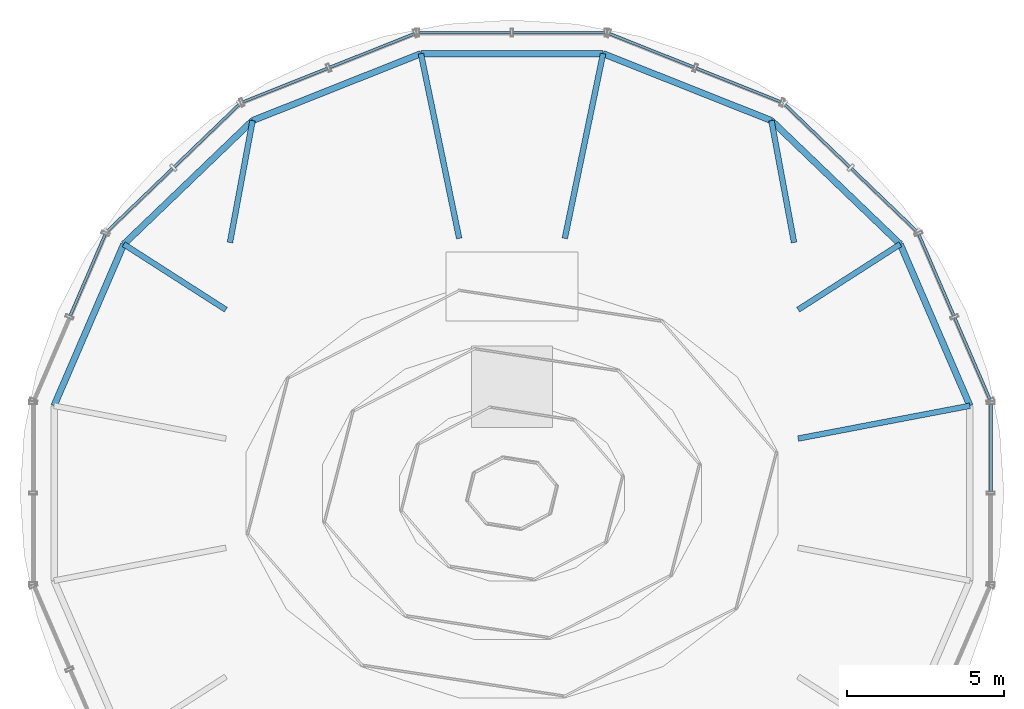
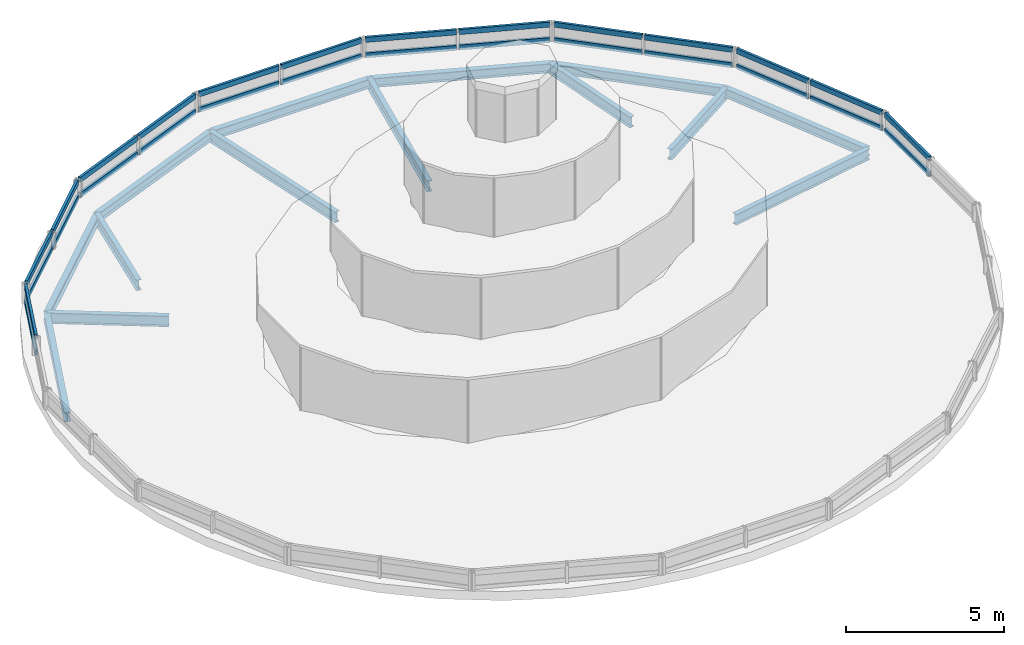
# One storey, part 2 of 8: 28 members, 14 beams, 8 elements without a shape of their own.
"""IFC4 building model written with IfcOpenShell, lengths in metres."""

from ifc_helpers import new_model, si_unit, direction, frame, origin, origin_2d, place, context, subcontext, project, spatial, hollow_rectangle, i_section, extrude, source, transform, mapped, material, material_profile, profile_set, type_object, element, aggregate, save


model = new_model("IFC4")

# Units and contexts
model_context = context("Model", 3, precision=1e-05, world=origin(), true_north=direction((-0.2419218956, 0.970295726276)))
body_context = subcontext(model_context, "Body", "Model", "MODEL_VIEW")
ifc_project = project(units=[si_unit("LENGTHUNIT", "METRE"), si_unit("AREAUNIT", "SQUARE_METRE"), si_unit("VOLUMEUNIT", "CUBIC_METRE"), si_unit("PLANEANGLEUNIT", "RADIAN"), si_unit("MASSUNIT", "GRAM", prefix="KILO")], contexts=[model_context])

# Site, building, storey
site_placement = place(None, origin())
site = spatial("IfcSite", under=ifc_project, at=site_placement, CompositionType="ELEMENT")
building_placement = place(site_placement, origin())
building = spatial("IfcBuilding", under=site, at=building_placement, Name="Cobrevalo Terracotta Tower", CompositionType="ELEMENT")
storey_placement = place(building_placement, frame((0.0, 0.0, 337.300048828125)))
storey = spatial("IfcBuildingStorey", under=building, at=storey_placement, Name="RF", CompositionType="ELEMENT", Elevation=337.300048828125)

# Beams
ifc_material_1 = material(Name="Steel S355", Category="steel")
ifc_material_profile_1 = material_profile(ifc_material_1, i_section(OverallWidth=0.179931640625, OverallDepth=0.4130859375, WebThickness=0.009765625, FlangeThickness=0.01611328125, at=origin_2d()), Name="W 410x75")
ifc_profile_set_1 = profile_set([ifc_material_profile_1], Name="Steel S355")
beam_type_1 = type_object("IfcBeamType", Name="Structural Beam W 410x75 (Steel S355)", PredefinedType="BEAM", material=ifc_profile_set_1)
beam_1_placement = place(storey_placement, frame((52.61376953125, 29.58984375, -0.556640625), z_axis=(-0.982261932892, -0.187513986655, 0.0), x_axis=(0.187513986655, -0.982261932892, 0.0)))
element("IfcBeam", 1, at=beam_1_placement, inside=storey, type_object=beam_type_1, Name="RF radial floor girder 01", PredefinedType="BEAM", context=body_context, shape_type="SweptSolid", body=[
    extrude(i_section(OverallWidth=0.179931640625, OverallDepth=0.4130859375, WebThickness=0.009765625, FlangeThickness=0.01611328125, at=origin_2d()), origin(), (0.0, 0.0, 1.0), 5.5830078125),
])
beam_2_placement = place(storey_placement, frame((50.388916015625, 34.74462890625, -0.556640625), z_axis=(-0.841794646381, -0.539797900444, 0.0), x_axis=(0.539797900444, -0.841794646381, 0.0)))
element("IfcBeam", 2, at=beam_2_placement, inside=storey, type_object=beam_type_1, Name="RF radial floor girder 02", PredefinedType="BEAM", context=body_context, shape_type="SweptSolid", body=[
    extrude(i_section(OverallWidth=0.179931640625, OverallDepth=0.4130859375, WebThickness=0.009765625, FlangeThickness=0.01611328125, at=origin_2d()), origin(), (0.0, 0.0, 1.0), 3.87158203125),
])
beam_3_placement = place(storey_placement, frame((46.278076171875, 38.68994140625, -0.556640625), z_axis=(0.18247374128, -0.983210727028, 0.0), x_axis=(0.983210727028, 0.18247374128, 0.0)))
element("IfcBeam", 3, at=beam_3_placement, inside=storey, type_object=beam_type_1, Name="RF radial floor girder 03", PredefinedType="BEAM", context=body_context, shape_type="SweptSolid", body=[
    extrude(i_section(OverallWidth=0.179931640625, OverallDepth=0.4130859375, WebThickness=0.009765625, FlangeThickness=0.01611328125, at=origin_2d()), origin(), (0.0, 0.0, 1.0), 3.956298828125),
])
for number, where, z_axis, x_axis, name in (
    (4, (40.90673828125, 40.8251953125, -0.556640625), (-0.202919370173, -0.979195449953, 0.0), (0.979195449953, -0.202919370173, 0.0), "RF radial floor girder 04"),
    (5, (35.09326171875, 40.8251953125, -0.556640625), (0.202919370173, -0.979195449953, 0.0), (0.979195449953, 0.202919370173, 0.0), "RF radial floor girder 05"),
):
    element("IfcBeam", number, at=place(storey_placement, frame(where, z_axis=z_axis, x_axis=x_axis)), inside=storey, type_object=beam_type_1, Name=name, PredefinedType="BEAM", context=body_context, shape_type="SweptSolid", body=[
        extrude(i_section(OverallWidth=0.179931640625, OverallDepth=0.4130859375, WebThickness=0.009765625, FlangeThickness=0.01611328125, at=origin_2d()), origin(), (0.0, 0.0, 1.0), 6.0205078125),
    ])
beam_4_placement = place(storey_placement, frame((29.721923828125, 38.68994140625, -0.556640625), z_axis=(-0.18247374128, -0.983210727028, 0.0), x_axis=(0.983210727028, -0.18247374128, 0.0)))
element("IfcBeam", 6, at=beam_4_placement, inside=storey, type_object=beam_type_1, Name="RF radial floor girder 06", PredefinedType="BEAM", context=body_context, shape_type="SweptSolid", body=[
    extrude(i_section(OverallWidth=0.179931640625, OverallDepth=0.4130859375, WebThickness=0.009765625, FlangeThickness=0.01611328125, at=origin_2d()), origin(), (0.0, 0.0, 1.0), 3.956298828125),
])
beam_5_placement = place(storey_placement, frame((25.611083984375, 34.74462890625, -0.556640625), z_axis=(0.841794646381, -0.539797900444, 0.0), x_axis=(0.539797900444, 0.841794646381, 0.0)))
element("IfcBeam", 7, at=beam_5_placement, inside=storey, type_object=beam_type_1, Name="RF radial floor girder 07", PredefinedType="BEAM", context=body_context, shape_type="SweptSolid", body=[
    extrude(i_section(OverallWidth=0.179931640625, OverallDepth=0.4130859375, WebThickness=0.009765625, FlangeThickness=0.01611328125, at=origin_2d()), origin(), (0.0, 0.0, 1.0), 3.87158203125),
])
ifc_material_profile_2 = material_profile(ifc_material_1, i_section(OverallWidth=0.205078125, OverallDepth=0.35400390625, WebThickness=0.009521484375, FlangeThickness=0.016845703125, at=origin_2d()), Name="W 360x79")
ifc_profile_set_2 = profile_set([ifc_material_profile_2], Name="Steel S355")
beam_type_2 = type_object("IfcBeamType", Name="Structural Spandrel W 360x79 (Steel S355)", PredefinedType="SPANDREL", material=ifc_profile_set_2)
beam_6_placement = place(storey_placement, frame((52.61376953125, 29.58984375, -0.527099609375), z_axis=(-0.396274415101, 0.918132118999, 0.0), x_axis=(-0.918132118999, -0.396274415101, 0.0)))
element("IfcBeam", 8, at=beam_6_placement, inside=storey, type_object=beam_type_2, Name="RF perimeter ring spandrel 01", PredefinedType="SPANDREL", context=body_context, shape_type="SweptSolid", body=[
    extrude(i_section(OverallWidth=0.205078125, OverallDepth=0.35400390625, WebThickness=0.009521484375, FlangeThickness=0.016845703125, at=origin_2d()), origin(), (0.0, 0.0, 1.0), 5.614501953125),
])
beam_7_placement = place(storey_placement, frame((50.388916015625, 34.74462890625, -0.527099609375), z_axis=(-0.72148321486, 0.69243192494, 0.0), x_axis=(-0.69243192494, -0.72148321486, 0.0)))
element("IfcBeam", 9, at=beam_7_placement, inside=storey, type_object=beam_type_2, Name="RF perimeter ring spandrel 02", PredefinedType="SPANDREL", context=body_context, shape_type="SweptSolid", body=[
    extrude(i_section(OverallWidth=0.205078125, OverallDepth=0.35400390625, WebThickness=0.009521484375, FlangeThickness=0.016845703125, at=origin_2d()), origin(), (0.0, 0.0, 1.0), 5.69775390625),
])
beam_8_placement = place(storey_placement, frame((46.278076171875, 38.68994140625, -0.527099609375), z_axis=(-0.929266894942, 0.369409038824, 0.0), x_axis=(-0.369409038824, -0.929266894942, 0.0)))
element("IfcBeam", 10, at=beam_8_placement, inside=storey, type_object=beam_type_2, Name="RF perimeter ring spandrel 03", PredefinedType="SPANDREL", context=body_context, shape_type="SweptSolid", body=[
    extrude(i_section(OverallWidth=0.205078125, OverallDepth=0.35400390625, WebThickness=0.009521484375, FlangeThickness=0.016845703125, at=origin_2d()), origin(), (0.0, 0.0, 1.0), 5.7802734375),
])
beam_9_placement = place(storey_placement, frame((40.90673828125, 40.8251953125, -0.527099609375), z_axis=(-1.0, 0.0, 0.0), x_axis=(0.0, -1.0, 0.0)))
element("IfcBeam", 11, at=beam_9_placement, inside=storey, type_object=beam_type_2, Name="RF perimeter ring spandrel 04", PredefinedType="SPANDREL", context=body_context, shape_type="SweptSolid", body=[
    extrude(i_section(OverallWidth=0.205078125, OverallDepth=0.35400390625, WebThickness=0.009521484375, FlangeThickness=0.016845703125, at=origin_2d()), origin(), (0.0, 0.0, 1.0), 5.8134765625),
])
beam_10_placement = place(storey_placement, frame((35.09326171875, 40.8251953125, -0.527099609375), z_axis=(-0.929266894942, -0.369409038824, 0.0), x_axis=(0.369409038824, -0.929266894942, 0.0)))
element("IfcBeam", 12, at=beam_10_placement, inside=storey, type_object=beam_type_2, Name="RF perimeter ring spandrel 05", PredefinedType="SPANDREL", context=body_context, shape_type="SweptSolid", body=[
    extrude(i_section(OverallWidth=0.205078125, OverallDepth=0.35400390625, WebThickness=0.009521484375, FlangeThickness=0.016845703125, at=origin_2d()), origin(), (0.0, 0.0, 1.0), 5.7802734375),
])
beam_11_placement = place(storey_placement, frame((29.721923828125, 38.68994140625, -0.527099609375), z_axis=(-0.72148321486, -0.69243192494, 0.0), x_axis=(0.69243192494, -0.72148321486, 0.0)))
element("IfcBeam", 13, at=beam_11_placement, inside=storey, type_object=beam_type_2, Name="RF perimeter ring spandrel 06", PredefinedType="SPANDREL", context=body_context, shape_type="SweptSolid", body=[
    extrude(i_section(OverallWidth=0.205078125, OverallDepth=0.35400390625, WebThickness=0.009521484375, FlangeThickness=0.016845703125, at=origin_2d()), origin(), (0.0, 0.0, 1.0), 5.69775390625),
])
beam_12_placement = place(storey_placement, frame((25.611083984375, 34.74462890625, -0.527099609375), z_axis=(-0.396274415101, -0.918132118999, 0.0), x_axis=(0.918132118999, -0.396274415101, 0.0)))
element("IfcBeam", 14, at=beam_12_placement, inside=storey, type_object=beam_type_2, Name="RF perimeter ring spandrel 07", PredefinedType="SPANDREL", context=body_context, shape_type="SweptSolid", body=[
    extrude(i_section(OverallWidth=0.205078125, OverallDepth=0.35400390625, WebThickness=0.009521484375, FlangeThickness=0.016845703125, at=origin_2d()), origin(), (0.0, 0.0, 1.0), 5.614501953125),
])

# Curtain wall, members
ifc_material_2 = material(Name="Anodized aluminium", Category="aluminium")
curtain_wall_type = type_object("IfcCurtainWallType", Name="Faceted glass-point crown structural glazing system CW-CR", PredefinedType="NOTDEFINED", material=ifc_material_2)
curtain_wall_1_placement = place(storey_placement, origin())
curtain_wall_1 = element("IfcCurtainWall", 15, at=curtain_wall_1_placement, inside=storey, type_object=curtain_wall_type, Name="RF curtain wall CW-CRN-RF-S01", PredefinedType="NOTDEFINED")
ifc_material_profile_3 = material_profile(ifc_material_2, hollow_rectangle(XDim=0.090087890625, YDim=0.195068359375, WallThickness=0.005615234375, at=origin_2d()), Name="CWT 90x195")
ifc_profile_set_3 = profile_set([ifc_material_profile_3], Name="Anodized aluminium")
member_type = type_object("IfcMemberType", Name="Crown structural aluminium transom 90x195", PredefinedType="USERDEFINED", material=ifc_profile_set_3)
shared_shape_1 = source(origin(), body_context, "Body", "SweptSolid", [
    extrude(hollow_rectangle(XDim=0.090087890625, YDim=0.195068359375, WallThickness=0.005615234375, at=origin_2d()), origin(), (0.0, 0.0, 1.0), 2.820068359375),
])
member_1_placement = place(storey_placement, frame((53.2490234375, 29.7958984375, 0.050048828125), z_axis=(-0.395653106009, 0.918400032505, 0.0), x_axis=(-0.918400032505, -0.395653106009, 0.0)))
member_1 = element("IfcMember", 16, at=member_1_placement, type_object=member_type, Name="CW-CRN-RF-S01 transom B01-T1", ObjectType="TRANSOM", PredefinedType="USERDEFINED", context=body_context, shape_type="MappedRepresentation", body=[
    mapped(shared_shape_1, transform((0.0, 0.0, 0.0), scale=1.0)),
])
member_2_placement = place(storey_placement, frame((53.2490234375, 29.7958984375, 0.64990234375), z_axis=(-0.395653106009, 0.918400032505, 0.0), x_axis=(-0.918400032505, -0.395653106009, 0.0)))
member_2 = element("IfcMember", 17, at=member_2_placement, type_object=member_type, Name="CW-CRN-RF-S01 transom B01-T2", ObjectType="TRANSOM", PredefinedType="USERDEFINED", context=body_context, shape_type="MappedRepresentation", body=[
    mapped(shared_shape_1, transform((0.0, 0.0, 0.0), scale=1.0)),
])
member_3_placement = place(storey_placement, frame((52.1015625, 32.459228515625, 0.050048828125), z_axis=(-0.395653106009, 0.918400032505, 0.0), x_axis=(-0.918400032505, -0.395653106009, 0.0)))
member_3 = element("IfcMember", 18, at=member_3_placement, type_object=member_type, Name="CW-CRN-RF-S01 transom B02-T1", ObjectType="TRANSOM", PredefinedType="USERDEFINED", context=body_context, shape_type="MappedRepresentation", body=[
    mapped(shared_shape_1, transform((0.0, 0.0, 0.0), scale=1.0)),
])
member_4_placement = place(storey_placement, frame((52.1015625, 32.459228515625, 0.64990234375), z_axis=(-0.395653106009, 0.918400032505, 0.0), x_axis=(-0.918400032505, -0.395653106009, 0.0)))
member_4 = element("IfcMember", 19, at=member_4_placement, type_object=member_type, Name="CW-CRN-RF-S01 transom B02-T2", ObjectType="TRANSOM", PredefinedType="USERDEFINED", context=body_context, shape_type="MappedRepresentation", body=[
    mapped(shared_shape_1, transform((0.0, 0.0, 0.0), scale=1.0)),
])
aggregate(curtain_wall_1, [member_1, member_2, member_3, member_4])

curtain_wall_2_placement = place(storey_placement, origin())
curtain_wall_2 = element("IfcCurtainWall", 20, at=curtain_wall_2_placement, inside=storey, type_object=curtain_wall_type, Name="RF curtain wall CW-CRN-RF-S07", PredefinedType="NOTDEFINED")
member_5_placement = place(storey_placement, frame((25.01416015625, 35.049072265625, 0.050048828125), z_axis=(-0.395653106009, -0.918400032505, 0.0), x_axis=(0.918400032505, -0.395653106009, 0.0)))
member_5 = element("IfcMember", 21, at=member_5_placement, type_object=member_type, Name="CW-CRN-RF-S07 transom B01-T1", ObjectType="TRANSOM", PredefinedType="USERDEFINED", context=body_context, shape_type="MappedRepresentation", body=[
    mapped(shared_shape_1, transform((0.0, 0.0, 0.0), scale=1.0)),
])
member_6_placement = place(storey_placement, frame((25.01416015625, 35.049072265625, 0.64990234375), z_axis=(-0.395653106009, -0.918400032505, 0.0), x_axis=(0.918400032505, -0.395653106009, 0.0)))
member_6 = element("IfcMember", 22, at=member_6_placement, type_object=member_type, Name="CW-CRN-RF-S07 transom B01-T2", ObjectType="TRANSOM", PredefinedType="USERDEFINED", context=body_context, shape_type="MappedRepresentation", body=[
    mapped(shared_shape_1, transform((0.0, 0.0, 0.0), scale=1.0)),
])
aggregate(curtain_wall_2, [member_5, member_6])

curtain_wall_3_placement = place(storey_placement, origin())
curtain_wall_3 = element("IfcCurtainWall", 23, at=curtain_wall_3_placement, inside=storey, type_object=curtain_wall_type, Name="RF curtain wall CW-CRN-RF-S02", PredefinedType="NOTDEFINED")
shared_shape_2 = source(origin(), body_context, "Body", "SweptSolid", [
    extrude(hollow_rectangle(XDim=0.090087890625, YDim=0.195068359375, WallThickness=0.005615234375, at=origin_2d()), origin(), (0.0, 0.0, 1.0), 2.861328125),
])
member_7_placement = place(storey_placement, frame((50.896728515625, 35.177978515625, 0.050048828125), z_axis=(-0.720877330681, 0.693062676899, 0.0), x_axis=(-0.693062676899, -0.720877330681, 0.0)))
member_7 = element("IfcMember", 24, at=member_7_placement, type_object=member_type, Name="CW-CRN-RF-S02 transom B01-T1", ObjectType="TRANSOM", PredefinedType="USERDEFINED", context=body_context, shape_type="MappedRepresentation", body=[
    mapped(shared_shape_2, transform((0.0, 0.0, 0.0), scale=1.0)),
])
member_8_placement = place(storey_placement, frame((50.896728515625, 35.177978515625, 0.64990234375), z_axis=(-0.720877330681, 0.693062676899, 0.0), x_axis=(-0.693062676899, -0.720877330681, 0.0)))
member_8 = element("IfcMember", 25, at=member_8_placement, type_object=member_type, Name="CW-CRN-RF-S02 transom B01-T2", ObjectType="TRANSOM", PredefinedType="USERDEFINED", context=body_context, shape_type="MappedRepresentation", body=[
    mapped(shared_shape_2, transform((0.0, 0.0, 0.0), scale=1.0)),
])

curtain_wall_4_placement = place(storey_placement, origin())
curtain_wall_4 = element("IfcCurtainWall", 26, at=curtain_wall_4_placement, inside=storey, type_object=curtain_wall_type, Name="RF curtain wall CW-CRN-RF-S06", PredefinedType="NOTDEFINED")
member_9_placement = place(storey_placement, frame((27.166015625, 37.1611328125, 0.050048828125), z_axis=(-0.720877330681, -0.693062676899, 0.0), x_axis=(0.693062676899, -0.720877330681, 0.0)))
member_9 = element("IfcMember", 27, at=member_9_placement, type_object=member_type, Name="CW-CRN-RF-S06 transom B02-T1", ObjectType="TRANSOM", PredefinedType="USERDEFINED", context=body_context, shape_type="MappedRepresentation", body=[
    mapped(shared_shape_2, transform((0.0, 0.0, 0.0), scale=1.0)),
])
member_10_placement = place(storey_placement, frame((27.166015625, 37.1611328125, 0.64990234375), z_axis=(-0.720877330681, -0.693062676899, 0.0), x_axis=(0.693062676899, -0.720877330681, 0.0)))
member_10 = element("IfcMember", 28, at=member_10_placement, type_object=member_type, Name="CW-CRN-RF-S06 transom B02-T2", ObjectType="TRANSOM", PredefinedType="USERDEFINED", context=body_context, shape_type="MappedRepresentation", body=[
    mapped(shared_shape_2, transform((0.0, 0.0, 0.0), scale=1.0)),
])

# Member
shared_shape_3 = source(origin(), body_context, "Body", "SweptSolid", [
    extrude(hollow_rectangle(XDim=0.090087890625, YDim=0.195068359375, WallThickness=0.005615234375, at=origin_2d()), origin(), (0.0, 0.0, 1.0), 2.861572265625),
])
member_11_placement = place(storey_placement, frame((48.776123046875, 37.216552734375, 0.050048828125), z_axis=(-0.720834704331, 0.693107011242, 0.0), x_axis=(-0.693107011242, -0.720834704331, 0.0)))
member_11 = element("IfcMember", 29, at=member_11_placement, type_object=member_type, Name="CW-CRN-RF-S02 transom B02-T1", ObjectType="TRANSOM", PredefinedType="USERDEFINED", context=body_context, shape_type="MappedRepresentation", body=[
    mapped(shared_shape_3, transform((0.0, 0.0, 0.0), scale=1.0)),
])

member_12_placement = place(storey_placement, frame((48.776123046875, 37.216552734375, 0.64990234375), z_axis=(-0.720834704331, 0.693107011242, 0.0), x_axis=(-0.693107011242, -0.720834704331, 0.0)))
member_12 = element("IfcMember", 30, at=member_12_placement, type_object=member_type, Name="CW-CRN-RF-S02 transom B02-T2", ObjectType="TRANSOM", PredefinedType="USERDEFINED", context=body_context, shape_type="MappedRepresentation", body=[
    mapped(shared_shape_3, transform((0.0, 0.0, 0.0), scale=1.0)),
])

aggregate(curtain_wall_3, [member_7, member_8, member_11, member_12])

member_13_placement = place(storey_placement, frame((29.28662109375, 39.199951171875, 0.050048828125), z_axis=(-0.720834704331, -0.693107011242, 0.0), x_axis=(0.693107011242, -0.720834704331, 0.0)))
member_13 = element("IfcMember", 31, at=member_13_placement, type_object=member_type, Name="CW-CRN-RF-S06 transom B01-T1", ObjectType="TRANSOM", PredefinedType="USERDEFINED", context=body_context, shape_type="MappedRepresentation", body=[
    mapped(shared_shape_3, transform((0.0, 0.0, 0.0), scale=1.0)),
])

member_14_placement = place(storey_placement, frame((29.28662109375, 39.199951171875, 0.64990234375), z_axis=(-0.720834704331, -0.693107011242, 0.0), x_axis=(0.693107011242, -0.720834704331, 0.0)))
member_14 = element("IfcMember", 32, at=member_14_placement, type_object=member_type, Name="CW-CRN-RF-S06 transom B01-T2", ObjectType="TRANSOM", PredefinedType="USERDEFINED", context=body_context, shape_type="MappedRepresentation", body=[
    mapped(shared_shape_3, transform((0.0, 0.0, 0.0), scale=1.0)),
])

aggregate(curtain_wall_4, [member_13, member_14, member_9, member_10])

# Curtain wall, members
curtain_wall_5_placement = place(storey_placement, origin())
curtain_wall_5 = element("IfcCurtainWall", 33, at=curtain_wall_5_placement, inside=storey, type_object=curtain_wall_type, Name="RF curtain wall CW-CRN-RF-S03", PredefinedType="NOTDEFINED")
shared_shape_4 = source(origin(), body_context, "Body", "SweptSolid", [
    extrude(hollow_rectangle(XDim=0.090087890625, YDim=0.195068359375, WallThickness=0.005615234375, at=origin_2d()), origin(), (0.0, 0.0, 1.0), 2.90283203125),
])
member_15_placement = place(storey_placement, frame((46.58154296875, 39.284912109375, 0.050048828125), z_axis=(-0.929038267601, 0.369983644684, 0.0), x_axis=(-0.369983644684, -0.929038267601, 0.0)))
member_15 = element("IfcMember", 34, at=member_15_placement, type_object=member_type, Name="CW-CRN-RF-S03 transom B01-T1", ObjectType="TRANSOM", PredefinedType="USERDEFINED", context=body_context, shape_type="MappedRepresentation", body=[
    mapped(shared_shape_4, transform((0.0, 0.0, 0.0), scale=1.0)),
])
member_16_placement = place(storey_placement, frame((46.58154296875, 39.284912109375, 0.64990234375), z_axis=(-0.929038267601, 0.369983644684, 0.0), x_axis=(-0.369983644684, -0.929038267601, 0.0)))
member_16 = element("IfcMember", 35, at=member_16_placement, type_object=member_type, Name="CW-CRN-RF-S03 transom B01-T2", ObjectType="TRANSOM", PredefinedType="USERDEFINED", context=body_context, shape_type="MappedRepresentation", body=[
    mapped(shared_shape_4, transform((0.0, 0.0, 0.0), scale=1.0)),
])
member_17_placement = place(storey_placement, frame((43.810546875, 40.388671875, 0.050048828125), z_axis=(-0.929038267601, 0.369983644684, 0.0), x_axis=(-0.369983644684, -0.929038267601, 0.0)))
member_17 = element("IfcMember", 36, at=member_17_placement, type_object=member_type, Name="CW-CRN-RF-S03 transom B02-T1", ObjectType="TRANSOM", PredefinedType="USERDEFINED", context=body_context, shape_type="MappedRepresentation", body=[
    mapped(shared_shape_4, transform((0.0, 0.0, 0.0), scale=1.0)),
])
member_18_placement = place(storey_placement, frame((43.810546875, 40.388671875, 0.64990234375), z_axis=(-0.929038267601, 0.369983644684, 0.0), x_axis=(-0.369983644684, -0.929038267601, 0.0)))
member_18 = element("IfcMember", 37, at=member_18_placement, type_object=member_type, Name="CW-CRN-RF-S03 transom B02-T2", ObjectType="TRANSOM", PredefinedType="USERDEFINED", context=body_context, shape_type="MappedRepresentation", body=[
    mapped(shared_shape_4, transform((0.0, 0.0, 0.0), scale=1.0)),
])
aggregate(curtain_wall_5, [member_15, member_16, member_17, member_18])

curtain_wall_6_placement = place(storey_placement, origin())
curtain_wall_6 = element("IfcCurtainWall", 38, at=curtain_wall_6_placement, inside=storey, type_object=curtain_wall_type, Name="RF curtain wall CW-CRN-RF-S05", PredefinedType="NOTDEFINED")
member_19_placement = place(storey_placement, frame((34.88623046875, 41.462646484375, 0.050048828125), z_axis=(-0.929038267601, -0.369983644684, 0.0), x_axis=(0.369983644684, -0.929038267601, 0.0)))
member_19 = element("IfcMember", 39, at=member_19_placement, type_object=member_type, Name="CW-CRN-RF-S05 transom B01-T1", ObjectType="TRANSOM", PredefinedType="USERDEFINED", context=body_context, shape_type="MappedRepresentation", body=[
    mapped(shared_shape_4, transform((0.0, 0.0, 0.0), scale=1.0)),
])
member_20_placement = place(storey_placement, frame((34.88623046875, 41.462646484375, 0.64990234375), z_axis=(-0.929038267601, -0.369983644684, 0.0), x_axis=(0.369983644684, -0.929038267601, 0.0)))
member_20 = element("IfcMember", 40, at=member_20_placement, type_object=member_type, Name="CW-CRN-RF-S05 transom B01-T2", ObjectType="TRANSOM", PredefinedType="USERDEFINED", context=body_context, shape_type="MappedRepresentation", body=[
    mapped(shared_shape_4, transform((0.0, 0.0, 0.0), scale=1.0)),
])
member_21_placement = place(storey_placement, frame((32.115234375, 40.35888671875, 0.050048828125), z_axis=(-0.929038267601, -0.369983644684, 0.0), x_axis=(0.369983644684, -0.929038267601, 0.0)))
member_21 = element("IfcMember", 41, at=member_21_placement, type_object=member_type, Name="CW-CRN-RF-S05 transom B02-T1", ObjectType="TRANSOM", PredefinedType="USERDEFINED", context=body_context, shape_type="MappedRepresentation", body=[
    mapped(shared_shape_4, transform((0.0, 0.0, 0.0), scale=1.0)),
])
member_22_placement = place(storey_placement, frame((32.115234375, 40.35888671875, 0.64990234375), z_axis=(-0.929038267601, -0.369983644684, 0.0), x_axis=(0.369983644684, -0.929038267601, 0.0)))
member_22 = element("IfcMember", 42, at=member_22_placement, type_object=member_type, Name="CW-CRN-RF-S05 transom B02-T2", ObjectType="TRANSOM", PredefinedType="USERDEFINED", context=body_context, shape_type="MappedRepresentation", body=[
    mapped(shared_shape_4, transform((0.0, 0.0, 0.0), scale=1.0)),
])
aggregate(curtain_wall_6, [member_19, member_20, member_21, member_22])

curtain_wall_7_placement = place(storey_placement, origin())
curtain_wall_7 = element("IfcCurtainWall", 43, at=curtain_wall_7_placement, inside=storey, type_object=curtain_wall_type, Name="RF curtain wall CW-CRN-RF-S04", PredefinedType="NOTDEFINED")
shared_shape_5 = source(origin(), body_context, "Body", "SweptSolid", [
    extrude(hollow_rectangle(XDim=0.090087890625, YDim=0.195068359375, WallThickness=0.005615234375, at=origin_2d()), origin(), (0.0, 0.0, 1.0), 2.91943359375),
])
member_23_placement = place(storey_placement, frame((40.95947265625, 41.4921875, 0.050048828125), z_axis=(-1.0, 0.0, 0.0), x_axis=(0.0, -1.0, 0.0)))
member_23 = element("IfcMember", 44, at=member_23_placement, type_object=member_type, Name="CW-CRN-RF-S04 transom B01-T1", ObjectType="TRANSOM", PredefinedType="USERDEFINED", context=body_context, shape_type="MappedRepresentation", body=[
    mapped(shared_shape_5, transform((0.0, 0.0, 0.0), scale=1.0)),
])
member_24_placement = place(storey_placement, frame((40.95947265625, 41.4921875, 0.64990234375), z_axis=(-1.0, 0.0, 0.0), x_axis=(0.0, -1.0, 0.0)))
member_24 = element("IfcMember", 45, at=member_24_placement, type_object=member_type, Name="CW-CRN-RF-S04 transom B01-T2", ObjectType="TRANSOM", PredefinedType="USERDEFINED", context=body_context, shape_type="MappedRepresentation", body=[
    mapped(shared_shape_5, transform((0.0, 0.0, 0.0), scale=1.0)),
])
member_25_placement = place(storey_placement, frame((37.9599609375, 41.4921875, 0.050048828125), z_axis=(-1.0, 0.0, 0.0), x_axis=(0.0, -1.0, 0.0)))
member_25 = element("IfcMember", 46, at=member_25_placement, type_object=member_type, Name="CW-CRN-RF-S04 transom B02-T1", ObjectType="TRANSOM", PredefinedType="USERDEFINED", context=body_context, shape_type="MappedRepresentation", body=[
    mapped(shared_shape_5, transform((0.0, 0.0, 0.0), scale=1.0)),
])
member_26_placement = place(storey_placement, frame((37.9599609375, 41.4921875, 0.64990234375), z_axis=(-1.0, 0.0, 0.0), x_axis=(0.0, -1.0, 0.0)))
member_26 = element("IfcMember", 47, at=member_26_placement, type_object=member_type, Name="CW-CRN-RF-S04 transom B02-T2", ObjectType="TRANSOM", PredefinedType="USERDEFINED", context=body_context, shape_type="MappedRepresentation", body=[
    mapped(shared_shape_5, transform((0.0, 0.0, 0.0), scale=1.0)),
])
aggregate(curtain_wall_7, [member_23, member_24, member_25, member_26])

curtain_wall_8_placement = place(storey_placement, origin())
curtain_wall_8 = element("IfcCurtainWall", 48, at=curtain_wall_8_placement, inside=storey, type_object=curtain_wall_type, Name="RF curtain wall CW-CRN-RF-S16", PredefinedType="NOTDEFINED")
shared_shape_6 = source(origin(), body_context, "Body", "SweptSolid", [
    extrude(hollow_rectangle(XDim=0.090087890625, YDim=0.195068359375, WallThickness=0.005615234375, at=origin_2d()), origin(), (0.0, 0.0, 1.0), 2.80224609375),
])
member_27_placement = place(storey_placement, frame((53.280517578125, 26.840087890625, 0.050048828125), z_axis=(0.0, 1.0, 0.0), x_axis=(-1.0, 0.0, 0.0)))
member_27 = element("IfcMember", 49, at=member_27_placement, type_object=member_type, Name="CW-CRN-RF-S16 transom B02-T1", ObjectType="TRANSOM", PredefinedType="USERDEFINED", context=body_context, shape_type="MappedRepresentation", body=[
    mapped(shared_shape_6, transform((0.0, 0.0, 0.0), scale=1.0)),
])
member_28_placement = place(storey_placement, frame((53.280517578125, 26.840087890625, 0.64990234375), z_axis=(0.0, 1.0, 0.0), x_axis=(-1.0, 0.0, 0.0)))
member_28 = element("IfcMember", 50, at=member_28_placement, type_object=member_type, Name="CW-CRN-RF-S16 transom B02-T2", ObjectType="TRANSOM", PredefinedType="USERDEFINED", context=body_context, shape_type="MappedRepresentation", body=[
    mapped(shared_shape_6, transform((0.0, 0.0, 0.0), scale=1.0)),
])
aggregate(curtain_wall_8, [member_27, member_28])

save(model, "model.ifc")
